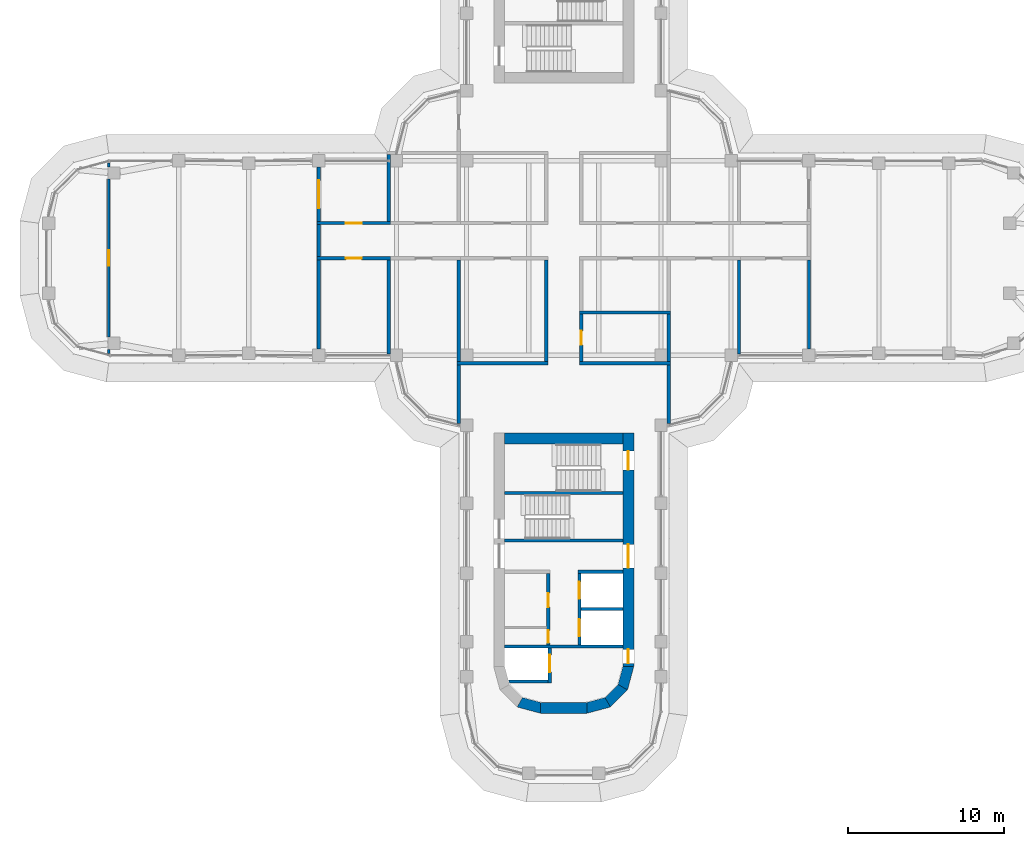
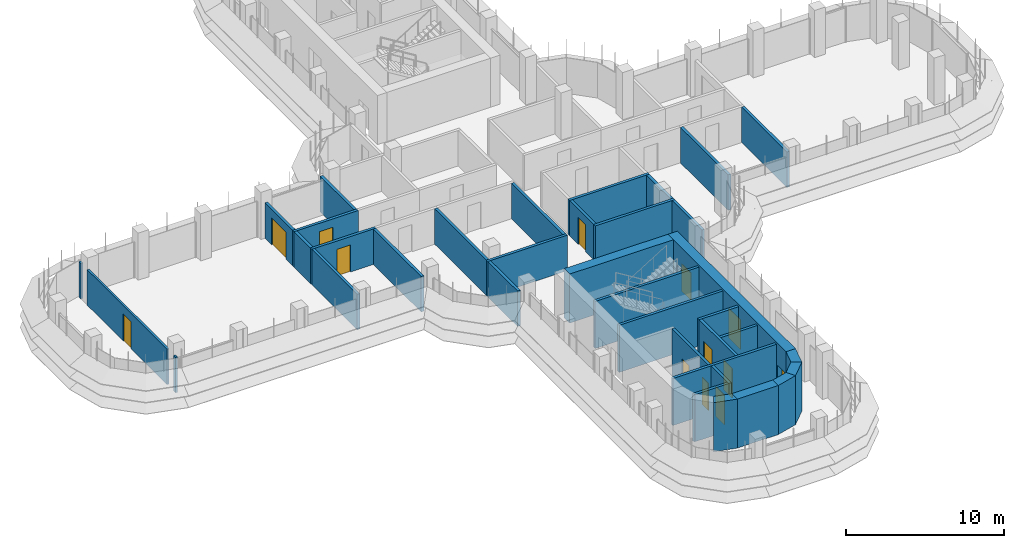
# One storey, part 14 of 20: 37 walls, 13 doors, 13 openings.
"""IFC4 building model written with IfcOpenShell, lengths in metres."""

from ifc_helpers import new_model, si_unit, direction, frame, frame_2d, origin, place, context, subcontext, project, spatial, polyline, rectangle, outline, extrude, material, layer, layer_set, type_object, element, fill, save


model = new_model("IFC4")

# Units and contexts
model_context = context("Model", 3, precision=1e-05, world=origin(), true_north=direction((0.0, 1.0)))
body_context = subcontext(model_context, "Body", "Model", "MODEL_VIEW")
ifc_project = project(units=[si_unit("LENGTHUNIT", "METRE"), si_unit("AREAUNIT", "SQUARE_METRE"), si_unit("VOLUMEUNIT", "CUBIC_METRE"), si_unit("PLANEANGLEUNIT", "RADIAN"), si_unit("MASSUNIT", "GRAM", prefix="KILO")], contexts=[model_context])

# Site, building, storey
site_placement = place(None, origin())
site = spatial("IfcSite", under=ifc_project, at=site_placement, CompositionType="ELEMENT")
building_placement = place(site_placement, origin())
building = spatial("IfcBuilding", under=site, at=building_placement, Name="Zarbagh Exchange Tower", CompositionType="ELEMENT")
storey_placement = place(building_placement, frame((0.0, 0.0, 144.800048828125)))
storey = spatial("IfcBuildingStorey", under=building, at=storey_placement, Name="L34", CompositionType="ELEMENT", Elevation=144.800048828125)

# Wall
ifc_material_1 = material(Name="Plasterboard partition")
ifc_layer_1 = layer(ifc_material_1, 0.14990234375)
ifc_layer_set_1 = layer_set([ifc_layer_1], Name="PARTITION 150")
wall_type_1 = type_object("IfcWallType", Name="PARTITION 150", PredefinedType="PARTITIONING", material=ifc_layer_set_1)
wall_1_placement = place(storey_placement, frame((-29.25, -6.1298828125, 0.0), z_axis=(0.0, 0.0, 1.0), x_axis=(0.0, 1.0, 0.0)))
element("IfcWall", 1, at=wall_1_placement, inside=storey, type_object=wall_type_1, Name="Partition W-1543", PredefinedType="PARTITIONING", context=body_context, shape_type="SweptSolid", body=[
    extrude(rectangle(XDim=0.2548828125, YDim=0.14990234375, at=frame_2d((0.12744140625, 0.0))), origin(), (0.0, 0.0, 1.0), 2.75),
])

# Wall, opening, door
wall_2_placement = place(storey_placement, frame((-29.25, -5.074951171875, 0.0), z_axis=(0.0, 0.0, 1.0), x_axis=(0.0, 1.0, 0.0)))
wall_2 = element("IfcWall", 2, at=wall_2_placement, inside=storey, type_object=wall_type_1, Name="Partition W-1544", PredefinedType="PARTITIONING", context=body_context, shape_type="SweptSolid", body=[
    extrude(rectangle(XDim=10.14990234375, YDim=0.14990234375, at=frame_2d((5.074951171875, 0.0))), origin(), (0.0, 0.0, 1.0), 2.75),
])
opening_1_placement = place(wall_2_placement, frame((4.574951171875, 0.0, 0.0)))
opening_1 = element("IfcOpeningElement", 3, at=opening_1_placement, cuts=wall_2, Name="Opening D-1514", PredefinedType="OPENING", context=body_context, shape_type="SweptSolid", body=[
    extrude(rectangle(XDim=1.0, YDim=2.10009765625, at=frame_2d((0.5, 1.050048828125))), frame((0.0, 0.0849609375, 0.0), z_axis=(0.0, -1.0, 0.0), x_axis=(1.0, 0.0, 0.0)), (0.0, 0.0, 1.0), 0.169921875),
])
ifc_material_2 = material(Name="Timber door leaf", Category="wood")
door_type_1 = type_object("IfcDoorType", Name="DOOR 1000 X 2100", OperationType="NOTDEFINED", PredefinedType="DOOR", material=ifc_material_2)
door_1_placement = place(opening_1_placement, origin())
door_1 = element("IfcDoor", 4, at=door_1_placement, inside=storey, type_object=door_type_1, Name="Door D-1514", OperationType="SINGLE_SWING_RIGHT", OverallHeight=2.10009765625, OverallWidth=1.0, PredefinedType="DOOR", context=body_context, shape_type="SweptSolid", body=[
    extrude(rectangle(XDim=1.0, YDim=2.10009765625, at=frame_2d((0.5, 1.050048828125))), frame((0.0, 0.02490234375, 0.0), z_axis=(0.0, -1.0, 0.0), x_axis=(1.0, 0.0, 0.0)), (0.0, 0.0, 1.0), 0.050048828125),
])
fill(opening_1, door_1)

# Wall
wall_3_placement = place(storey_placement, frame((-29.25, 5.875, 0.0), z_axis=(0.0, 0.0, 1.0), x_axis=(0.0, 1.0, 0.0)))
element("IfcWall", 5, at=wall_3_placement, inside=storey, type_object=wall_type_1, Name="Partition W-1545", PredefinedType="PARTITIONING", context=body_context, shape_type="SweptSolid", body=[
    extrude(rectangle(XDim=0.2548828125, YDim=0.14990234375, at=frame_2d((0.12744140625, 0.0))), origin(), (0.0, 0.0, 1.0), 2.75),
])

# Wall, opening, door
ifc_material_3 = material(Name="Fire-rated plasterboard partition")
ifc_layer_2 = layer(ifc_material_3, 0.199951171875)
ifc_layer_set_2 = layer_set([ifc_layer_2], Name="RATED PARTITION 200")
wall_type_2 = type_object("IfcWallType", Name="RATED PARTITION 200", PredefinedType="PARTITIONING", material=ifc_layer_set_2)
wall_4_placement = place(storey_placement, frame((-15.85009765625, 2.25, 0.0), z_axis=(0.0, 0.0, 1.0), x_axis=(1.0, 0.0, 0.0)))
wall_4 = element("IfcWall", 6, at=wall_4_placement, inside=storey, type_object=wall_type_2, Name="Partition W-1512", PredefinedType="PARTITIONING", context=body_context, shape_type="SweptSolid", body=[
    extrude(rectangle(XDim=4.7001953125, YDim=0.199951171875, at=frame_2d((2.35009765625, 0.0))), origin(), (0.0, 0.0, 1.0), 2.75),
])
opening_2_placement = place(wall_4_placement, frame((1.85009765625, 0.0, 0.0)))
opening_2 = element("IfcOpeningElement", 7, at=opening_2_placement, cuts=wall_4, Name="Opening D-1516", PredefinedType="OPENING", context=body_context, shape_type="SweptSolid", body=[
    extrude(rectangle(XDim=1.0, YDim=2.10009765625, at=frame_2d((0.5, 1.050048828125))), frame((0.0, 0.10986328125, 0.0), z_axis=(0.0, -1.0, 0.0), x_axis=(1.0, 0.0, 0.0)), (0.0, 0.0, 1.0), 0.219970703125),
])
ifc_material_4 = material(Name="Steel door set", Category="steel")
door_type_2 = type_object("IfcDoorType", Name="FIRE DOOR 1000 X 2100 FD30S", OperationType="NOTDEFINED", PredefinedType="DOOR", material=ifc_material_4)
door_2_placement = place(opening_2_placement, origin())
door_2 = element("IfcDoor", 8, at=door_2_placement, inside=storey, type_object=door_type_2, Name="Door D-1516", OperationType="SINGLE_SWING_RIGHT", OverallHeight=2.10009765625, OverallWidth=1.0, PredefinedType="DOOR", context=body_context, shape_type="SweptSolid", body=[
    extrude(rectangle(XDim=1.0, YDim=2.10009765625, at=frame_2d((0.5, 1.050048828125))), frame((0.0, 0.02490234375, 0.0), z_axis=(0.0, -1.0, 0.0), x_axis=(1.0, 0.0, 0.0)), (0.0, 0.0, 1.0), 0.050048828125),
])
fill(opening_2, door_2)

wall_5_placement = place(storey_placement, frame((-11.14990234375, 0.0, 0.0), z_axis=(0.0, 0.0, 1.0), x_axis=(-1.0, 0.0, 0.0)))
wall_5 = element("IfcWall", 9, at=wall_5_placement, inside=storey, type_object=wall_type_2, Name="Partition W-1513", PredefinedType="PARTITIONING", context=body_context, shape_type="SweptSolid", body=[
    extrude(rectangle(XDim=4.7001953125, YDim=0.199951171875, at=frame_2d((2.35009765625, 0.0))), origin(), (0.0, 0.0, 1.0), 2.75),
])
opening_3_placement = place(wall_5_placement, frame((1.85009765625, 0.0, 0.0)))
opening_3 = element("IfcOpeningElement", 10, at=opening_3_placement, cuts=wall_5, Name="Opening D-1517", PredefinedType="OPENING", context=body_context, shape_type="SweptSolid", body=[
    extrude(rectangle(XDim=1.0, YDim=2.10009765625, at=frame_2d((0.5, 1.050048828125))), frame((0.0, 0.10986328125, 0.0), z_axis=(0.0, -1.0, 0.0), x_axis=(1.0, 0.0, 0.0)), (0.0, 0.0, 1.0), 0.219970703125),
])
door_3_placement = place(opening_3_placement, origin())
door_3 = element("IfcDoor", 11, at=door_3_placement, inside=storey, type_object=door_type_2, Name="Door D-1517", OperationType="SINGLE_SWING_RIGHT", OverallHeight=2.10009765625, OverallWidth=1.0, PredefinedType="DOOR", context=body_context, shape_type="SweptSolid", body=[
    extrude(rectangle(XDim=1.0, YDim=2.10009765625, at=frame_2d((0.5, 1.050048828125))), frame((0.0, 0.02490234375, 0.0), z_axis=(0.0, -1.0, 0.0), x_axis=(1.0, 0.0, 0.0)), (0.0, 0.0, 1.0), 0.050048828125),
])
fill(opening_3, door_3)

# Wall
wall_6_placement = place(storey_placement, frame((-15.75, 0.10009765625, 0.0), z_axis=(0.0, 0.0, 1.0), x_axis=(0.0, 1.0, 0.0)))
element("IfcWall", 12, at=wall_6_placement, inside=storey, type_object=wall_type_2, Name="Partition W-1514", PredefinedType="PARTITIONING", context=body_context, shape_type="SweptSolid", body=[
    extrude(rectangle(XDim=2.0498046875, YDim=0.199951171875, at=frame_2d((1.02490234375, 0.0))), origin(), (0.0, 0.0, 1.0), 2.75),
])

# Wall, opening, door
wall_7_placement = place(storey_placement, frame((1.125, -3.60009765625, 0.0), z_axis=(0.0, 0.0, 1.0), x_axis=(0.0, -1.0, 0.0)))
wall_7 = element("IfcWall", 13, at=wall_7_placement, inside=storey, type_object=wall_type_2, Name="Partition W-1518", PredefinedType="PARTITIONING", context=body_context, shape_type="SweptSolid", body=[
    extrude(rectangle(XDim=3.0498046875, YDim=0.199951171875, at=frame_2d((1.52490234375, 0.0))), origin(), (0.0, 0.0, 1.0), 2.75),
])
opening_4_placement = place(wall_7_placement, frame((1.074951171875, 0.0, 0.0)))
opening_4 = element("IfcOpeningElement", 14, at=opening_4_placement, cuts=wall_7, Name="Opening D-1510", PredefinedType="OPENING", context=body_context, shape_type="SweptSolid", body=[
    extrude(rectangle(XDim=0.89990234375, YDim=2.10009765625, at=frame_2d((0.449951171875, 1.050048828125))), frame((0.0, 0.10986328125, 0.0), z_axis=(0.0, -1.0, 0.0), x_axis=(1.0, 0.0, 0.0)), (0.0, 0.0, 1.0), 0.219970703125),
])
door_type_3 = type_object("IfcDoorType", Name="DOOR 900 X 2100", OperationType="NOTDEFINED", PredefinedType="DOOR", material=ifc_material_2)
door_4_placement = place(opening_4_placement, origin())
door_4 = element("IfcDoor", 15, at=door_4_placement, inside=storey, type_object=door_type_3, Name="Door D-1510", OperationType="SINGLE_SWING_LEFT", OverallHeight=2.10009765625, OverallWidth=0.89990234375, PredefinedType="DOOR", context=body_context, shape_type="SweptSolid", body=[
    extrude(rectangle(XDim=0.89990234375, YDim=2.10009765625, at=frame_2d((0.449951171875, 1.050048828125))), frame((0.0, 0.02490234375, 0.0), z_axis=(0.0, -1.0, 0.0), x_axis=(1.0, 0.0, 0.0)), (0.0, 0.0, 1.0), 0.050048828125),
])
fill(opening_4, door_4)

# Walls
wall_8_placement = place(storey_placement, frame((-1.125, -6.64990234375, 0.0), z_axis=(0.0, 0.0, 1.0), x_axis=(0.0, 1.0, 0.0)))
element("IfcWall", 16, at=wall_8_placement, inside=storey, type_object=wall_type_2, Name="Partition W-1519", PredefinedType="PARTITIONING", context=body_context, shape_type="SweptSolid", body=[
    extrude(rectangle(XDim=6.5498046875, YDim=0.199951171875, at=frame_2d((3.27490234375, 0.0))), origin(), (0.0, 0.0, 1.0), 2.75),
])
wall_9_placement = place(storey_placement, frame((1.02490234375, -6.75, 0.0), z_axis=(0.0, 0.0, 1.0), x_axis=(1.0, 0.0, 0.0)))
element("IfcWall", 17, at=wall_9_placement, inside=storey, type_object=wall_type_2, Name="Partition W-1524", PredefinedType="PARTITIONING", context=body_context, shape_type="SweptSolid", body=[
    extrude(rectangle(XDim=5.8251953125, YDim=0.199951171875, at=frame_2d((2.91259765625, 0.0))), origin(), (0.0, 0.0, 1.0), 2.75),
])
wall_10_placement = place(storey_placement, frame((6.75, -10.6298828125, 0.0), z_axis=(0.0, 0.0, 1.0), x_axis=(0.0, 1.0, 0.0)))
element("IfcWall", 18, at=wall_10_placement, inside=storey, type_object=wall_type_2, Name="Partition W-1525", PredefinedType="PARTITIONING", context=body_context, shape_type="SweptSolid", body=[
    extrude(rectangle(XDim=3.77978515625, YDim=0.199951171875, at=frame_2d((1.889892578125, 0.0))), origin(), (0.0, 0.0, 1.0), 2.75),
])
wall_11_placement = place(storey_placement, frame((-6.85009765625, -6.75, 0.0), z_axis=(0.0, 0.0, 1.0), x_axis=(1.0, 0.0, 0.0)))
element("IfcWall", 19, at=wall_11_placement, inside=storey, type_object=wall_type_2, Name="Partition W-1526", PredefinedType="PARTITIONING", context=body_context, shape_type="SweptSolid", body=[
    extrude(rectangle(XDim=5.8251953125, YDim=0.199951171875, at=frame_2d((2.91259765625, 0.0))), origin(), (0.0, 0.0, 1.0), 2.75),
])
wall_12_placement = place(storey_placement, frame((-6.75, -10.6298828125, 0.0), z_axis=(0.0, 0.0, 1.0), x_axis=(0.0, 1.0, 0.0)))
element("IfcWall", 20, at=wall_12_placement, inside=storey, type_object=wall_type_2, Name="Partition W-1527", PredefinedType="PARTITIONING", context=body_context, shape_type="SweptSolid", body=[
    extrude(rectangle(XDim=3.77978515625, YDim=0.199951171875, at=frame_2d((1.889892578125, 0.0))), origin(), (0.0, 0.0, 1.0), 2.75),
])
wall_13_placement = place(storey_placement, frame((-11.25, 2.35009765625, 0.0), z_axis=(0.0, 0.0, 1.0), x_axis=(0.0, 1.0, 0.0)))
element("IfcWall", 21, at=wall_13_placement, inside=storey, type_object=wall_type_2, Name="Partition W-1532", PredefinedType="PARTITIONING", context=body_context, shape_type="SweptSolid", body=[
    extrude(rectangle(XDim=4.2998046875, YDim=0.199951171875, at=frame_2d((2.14990234375, 0.0))), origin(), (0.0, 0.0, 1.0), 2.75),
])
wall_14_placement = place(storey_placement, frame((1.02490234375, -3.5, 0.0), z_axis=(0.0, 0.0, 1.0), x_axis=(1.0, 0.0, 0.0)))
element("IfcWall", 22, at=wall_14_placement, inside=storey, type_object=wall_type_2, Name="Partition W-1533", PredefinedType="PARTITIONING", context=body_context, shape_type="SweptSolid", body=[
    extrude(rectangle(XDim=5.8251953125, YDim=0.199951171875, at=frame_2d((2.91259765625, 0.0))), origin(), (0.0, 0.0, 1.0), 2.75),
])
wall_15_placement = place(storey_placement, frame((6.75, -6.64990234375, 0.0), z_axis=(0.0, 0.0, 1.0), x_axis=(0.0, 1.0, 0.0)))
element("IfcWall", 23, at=wall_15_placement, inside=storey, type_object=wall_type_2, Name="Partition W-1535", PredefinedType="PARTITIONING", context=body_context, shape_type="SweptSolid", body=[
    extrude(rectangle(XDim=3.0498046875, YDim=0.199951171875, at=frame_2d((1.52490234375, 0.0))), origin(), (0.0, 0.0, 1.0), 2.75),
])
wall_16_placement = place(storey_placement, frame((11.25, -6.169921875, 0.0), z_axis=(0.0, 0.0, 1.0), x_axis=(0.0, 1.0, 0.0)))
element("IfcWall", 24, at=wall_16_placement, inside=storey, type_object=wall_type_2, Name="Partition W-1536", PredefinedType="PARTITIONING", context=body_context, shape_type="SweptSolid", body=[
    extrude(rectangle(XDim=6.06982421875, YDim=0.199951171875, at=frame_2d((3.034912109375, 0.0))), origin(), (0.0, 0.0, 1.0), 2.75),
])
wall_17_placement = place(storey_placement, frame((-6.75, -6.64990234375, 0.0), z_axis=(0.0, 0.0, 1.0), x_axis=(0.0, 1.0, 0.0)))
element("IfcWall", 25, at=wall_17_placement, inside=storey, type_object=wall_type_2, Name="Partition W-1537", PredefinedType="PARTITIONING", context=body_context, shape_type="SweptSolid", body=[
    extrude(rectangle(XDim=6.5498046875, YDim=0.199951171875, at=frame_2d((3.27490234375, 0.0))), origin(), (0.0, 0.0, 1.0), 2.75),
])
wall_18_placement = place(storey_placement, frame((-11.25, -6.169921875, 0.0), z_axis=(0.0, 0.0, 1.0), x_axis=(0.0, 1.0, 0.0)))
element("IfcWall", 26, at=wall_18_placement, inside=storey, type_object=wall_type_2, Name="Partition W-1538", PredefinedType="PARTITIONING", context=body_context, shape_type="SweptSolid", body=[
    extrude(rectangle(XDim=6.06982421875, YDim=0.199951171875, at=frame_2d((3.034912109375, 0.0))), origin(), (0.0, 0.0, 1.0), 2.75),
])
wall_19_placement = place(storey_placement, frame((15.75, -5.85009765625, 0.0), z_axis=(0.0, 0.0, 1.0), x_axis=(0.0, 1.0, 0.0)))
element("IfcWall", 27, at=wall_19_placement, inside=storey, type_object=wall_type_2, Name="Partition W-1540", PredefinedType="PARTITIONING", context=body_context, shape_type="SweptSolid", body=[
    extrude(rectangle(XDim=5.75, YDim=0.199951171875, at=frame_2d((2.875, 0.0))), origin(), (0.0, 0.0, 1.0), 2.75),
])

# Wall, opening, door
wall_20_placement = place(storey_placement, frame((-15.75, 2.35009765625, 0.0), z_axis=(0.0, 0.0, 1.0), x_axis=(0.0, 1.0, 0.0)))
wall_20 = element("IfcWall", 28, at=wall_20_placement, inside=storey, type_object=wall_type_2, Name="Partition W-1541", PredefinedType="PARTITIONING", context=body_context, shape_type="SweptSolid", body=[
    extrude(rectangle(XDim=3.5, YDim=0.199951171875, at=frame_2d((1.75, 0.0))), origin(), (0.0, 0.0, 1.0), 2.75),
])
opening_5_placement = place(wall_20_placement, frame((0.85009765625, 0.0, 0.0)))
opening_5 = element("IfcOpeningElement", 29, at=opening_5_placement, cuts=wall_20, Name="Opening D-1515", PredefinedType="OPENING", context=body_context, shape_type="SweptSolid", body=[
    extrude(rectangle(XDim=1.800048828125, YDim=2.10009765625, at=frame_2d((0.89990234375, 1.050048828125))), frame((0.0, 0.10986328125, 0.0), z_axis=(0.0, -1.0, 0.0), x_axis=(1.0, 0.0, 0.0)), (0.0, 0.0, 1.0), 0.219970703125),
])
door_type_4 = type_object("IfcDoorType", Name="FIRE DOUBLE DOOR 1800 X 2100 FD30S", OperationType="DOUBLE_DOOR_SINGLE_SWING", PredefinedType="DOOR", material=ifc_material_4)
door_5_placement = place(opening_5_placement, origin())
door_5 = element("IfcDoor", 30, at=door_5_placement, inside=storey, type_object=door_type_4, Name="Door D-1515", OperationType="DOUBLE_DOOR_SINGLE_SWING", OverallHeight=2.10009765625, OverallWidth=1.800048828125, PredefinedType="DOOR", context=body_context, shape_type="SweptSolid", body=[
    extrude(rectangle(XDim=1.800048828125, YDim=2.10009765625, at=frame_2d((0.89990234375, 1.050048828125))), frame((0.0, 0.02490234375, 0.0), z_axis=(0.0, -1.0, 0.0), x_axis=(1.0, 0.0, 0.0)), (0.0, 0.0, 1.0), 0.050048828125),
])
fill(opening_5, door_5)

# Walls
wall_21_placement = place(storey_placement, frame((-15.75, -5.85009765625, 0.0), z_axis=(0.0, 0.0, 1.0), x_axis=(0.0, 1.0, 0.0)))
element("IfcWall", 31, at=wall_21_placement, inside=storey, type_object=wall_type_2, Name="Partition W-1542", PredefinedType="PARTITIONING", context=body_context, shape_type="SweptSolid", body=[
    extrude(rectangle(XDim=5.75, YDim=0.199951171875, at=frame_2d((2.875, 0.0))), origin(), (0.0, 0.0, 1.0), 2.75),
])
ifc_material_5 = material(Name="Concrete C50/60", Category="concrete")
ifc_layer_3 = layer(ifc_material_5, 0.699951171875)
ifc_layer_set_3 = layer_set([ifc_layer_3], Name="RC core corner wall 700 C50/60")
wall_type_3 = type_object("IfcWallType", Name="RC core corner wall 700 C50/60", PredefinedType="SHEAR", material=ifc_layer_set_3)
wall_22_placement = place(storey_placement, origin())
element("IfcWall", 32, at=wall_22_placement, inside=storey, type_object=wall_type_3, Name="CW6 core S corner W", PredefinedType="SHEAR", context=body_context, shape_type="SweptSolid", body=[
    extrude(outline(polyline([(-3.0, -28.84814453125), (-1.5, -29.25), (-1.5, -28.550048828125), (-2.64990234375, -28.241943359375), (-3.0, -28.84814453125)])), origin(), (0.0, 0.0, 1.0), 3.800048828125),
])
wall_23_placement = place(storey_placement, origin())
element("IfcWall", 33, at=wall_23_placement, inside=storey, type_object=wall_type_3, Name="CW6 core S corner E", PredefinedType="SHEAR", context=body_context, shape_type="SweptSolid", body=[
    extrude(outline(polyline([(4.5, -26.25), (4.09814453125, -27.75), (3.491943359375, -27.39990234375), (3.800048828125, -26.25), (4.5, -26.25)])), origin(), (0.0, 0.0, 1.0), 3.800048828125),
])
wall_24_placement = place(storey_placement, origin())
element("IfcWall", 34, at=wall_24_placement, inside=storey, type_object=wall_type_3, Name="CW6 core S corner E", PredefinedType="SHEAR", context=body_context, shape_type="SweptSolid", body=[
    extrude(outline(polyline([(4.09814453125, -27.75), (3.0, -28.84814453125), (2.64990234375, -28.241943359375), (3.491943359375, -27.39990234375), (4.09814453125, -27.75)])), origin(), (0.0, 0.0, 1.0), 3.800048828125),
])
wall_25_placement = place(storey_placement, origin())
element("IfcWall", 35, at=wall_25_placement, inside=storey, type_object=wall_type_3, Name="CW6 core S corner E", PredefinedType="SHEAR", context=body_context, shape_type="SweptSolid", body=[
    extrude(outline(polyline([(3.0, -28.84814453125), (1.5, -29.25), (1.5, -28.550048828125), (2.64990234375, -28.241943359375), (3.0, -28.84814453125)])), origin(), (0.0, 0.0, 1.0), 3.800048828125),
])

# Wall, openings, doors
ifc_layer_4 = layer(ifc_material_5, 0.699951171875)
ifc_layer_set_4 = layer_set([ifc_layer_4], Name="RC core wall 700 C50/60")
wall_type_4 = type_object("IfcWallType", Name="RC core wall 700 C50/60", PredefinedType="SHEAR", material=ifc_layer_set_4)
wall_26_placement = place(storey_placement, frame((4.14990234375, -11.25, 0.0), z_axis=(0.0, 0.0, 1.0), x_axis=(0.0, -1.0, 0.0)))
wall_26 = element("IfcWall", 36, at=wall_26_placement, inside=storey, type_object=wall_type_4, Name="CW5 core S E", PredefinedType="SHEAR", context=body_context, shape_type="SweptSolid", body=[
    extrude(rectangle(XDim=15.0, YDim=0.699951171875, at=frame_2d((7.5, 0.0))), origin(), (0.0, 0.0, 1.0), 3.800048828125),
])
opening_6_placement = place(wall_26_placement, frame((7.14990234375, 0.0, 0.0)))
opening_6 = element("IfcOpeningElement", 37, at=opening_6_placement, cuts=wall_26, Name="Opening CD1-1500", PredefinedType="OPENING", context=body_context, shape_type="SweptSolid", body=[
    extrude(rectangle(XDim=1.5, YDim=2.300048828125, at=frame_2d((0.75, 1.14990234375))), frame((0.0, 0.35986328125, 0.0), z_axis=(0.0, -1.0, 0.0), x_axis=(1.0, 0.0, 0.0)), (0.0, 0.0, 1.0), 0.719970703125),
])
opening_7_placement = place(wall_26_placement, frame((13.89990234375, 0.0, 0.0)))
opening_7 = element("IfcOpeningElement", 38, at=opening_7_placement, cuts=wall_26, Name="Opening CD2-900", PredefinedType="OPENING", context=body_context, shape_type="SweptSolid", body=[
    extrude(rectangle(XDim=0.89990234375, YDim=2.10009765625, at=frame_2d((0.449951171875, 1.050048828125))), frame((0.0, 0.35986328125, 0.0), z_axis=(0.0, -1.0, 0.0), x_axis=(1.0, 0.0, 0.0)), (0.0, 0.0, 1.0), 0.719970703125),
])
opening_8_placement = place(wall_26_placement, frame((1.14990234375, 0.0, 0.0)))
opening_8 = element("IfcOpeningElement", 39, at=opening_8_placement, cuts=wall_26, Name="Opening SD1-1200", PredefinedType="OPENING", context=body_context, shape_type="SweptSolid", body=[
    extrude(rectangle(XDim=1.199951171875, YDim=2.10009765625, at=frame_2d((0.60009765625, 1.050048828125))), frame((0.0, 0.35986328125, 0.0), z_axis=(0.0, -1.0, 0.0), x_axis=(1.0, 0.0, 0.0)), (0.0, 0.0, 1.0), 0.719970703125),
])
ifc_material_6 = material(Name="Steel", Category="steel")
door_type_5 = type_object("IfcDoorType", Name="Exit stair door 1200 x 2100", OperationType="NOTDEFINED", PredefinedType="DOOR", material=ifc_material_6)
door_6_placement = place(opening_8_placement, origin())
door_6 = element("IfcDoor", 40, at=door_6_placement, inside=storey, type_object=door_type_5, Name="South core stair door ST2", OperationType="SINGLE_SWING_RIGHT", OverallHeight=2.10009765625, OverallWidth=1.199951171875, PredefinedType="DOOR", context=body_context, shape_type="SweptSolid", body=[
    extrude(rectangle(XDim=1.199951171875, YDim=2.10009765625, at=frame_2d((0.60009765625, 1.050048828125))), frame((0.0, 0.02490234375, 0.0), z_axis=(0.0, -1.0, 0.0), x_axis=(1.0, 0.0, 0.0)), (0.0, 0.0, 1.0), 0.050048828125),
])
fill(opening_8, door_6)
door_type_6 = type_object("IfcDoorType", Name="Firefighting lobby door 900 x 2100", OperationType="NOTDEFINED", PredefinedType="DOOR", material=ifc_material_6)
door_7_placement = place(opening_7_placement, origin())
door_7 = element("IfcDoor", 41, at=door_7_placement, inside=storey, type_object=door_type_6, Name="South core firefighting lobby door FF-W", OperationType="SINGLE_SWING_LEFT", OverallHeight=2.10009765625, OverallWidth=0.89990234375, PredefinedType="DOOR", context=body_context, shape_type="SweptSolid", body=[
    extrude(rectangle(XDim=0.89990234375, YDim=2.10009765625, at=frame_2d((0.449951171875, 1.050048828125))), frame((0.0, 0.02490234375, 0.0), z_axis=(0.0, -1.0, 0.0), x_axis=(1.0, 0.0, 0.0)), (0.0, 0.0, 1.0), 0.050048828125),
])
fill(opening_7, door_7)
door_type_7 = type_object("IfcDoorType", Name="Lift lobby double door 1500 x 2300", OperationType="NOTDEFINED", PredefinedType="DOOR", material=ifc_material_6)
door_8_placement = place(opening_6_placement, origin())
door_8 = element("IfcDoor", 42, at=door_8_placement, inside=storey, type_object=door_type_7, Name="South core lift lobby door LOBBY-W", OperationType="DOUBLE_DOOR_SINGLE_SWING", OverallHeight=2.300048828125, OverallWidth=1.5, PredefinedType="DOOR", context=body_context, shape_type="SweptSolid", body=[
    extrude(rectangle(XDim=1.5, YDim=2.300048828125, at=frame_2d((0.75, 1.14990234375))), frame((0.0, 0.02490234375, 0.0), z_axis=(0.0, -1.0, 0.0), x_axis=(1.0, 0.0, 0.0)), (0.0, 0.0, 1.0), 0.050048828125),
])
fill(opening_6, door_8)

# Walls
wall_27_placement = place(storey_placement, frame((-3.800048828125, -11.60009765625, 0.0), z_axis=(0.0, 0.0, 1.0), x_axis=(1.0, 0.0, 0.0)))
element("IfcWall", 43, at=wall_27_placement, inside=storey, type_object=wall_type_4, Name="CW5 core S inner end", PredefinedType="SHEAR", context=body_context, shape_type="SweptSolid", body=[
    extrude(rectangle(XDim=7.60009765625, YDim=0.699951171875, at=frame_2d((3.800048828125, 0.0))), origin(), (0.0, 0.0, 1.0), 3.800048828125),
])
wall_28_placement = place(storey_placement, frame((-1.5, -28.89990234375, 0.0), z_axis=(0.0, 0.0, 1.0), x_axis=(1.0, 0.0, 0.0)))
element("IfcWall", 44, at=wall_28_placement, inside=storey, type_object=wall_type_4, Name="CW5 core S outer end", PredefinedType="SHEAR", context=body_context, shape_type="SweptSolid", body=[
    extrude(rectangle(XDim=3.0, YDim=0.699951171875, at=frame_2d((1.5, 0.0))), origin(), (0.0, 0.0, 1.0), 3.800048828125),
])
ifc_material_7 = material(Name="Dense blockwork", Category="masonry")
ifc_layer_5 = layer(ifc_material_7, 0.199951171875)
ifc_layer_set_5 = layer_set([ifc_layer_5], Name="Shaft wall 200 mm blockwork")
wall_type_5 = type_object("IfcWallType", Name="Shaft wall 200 mm blockwork", PredefinedType="PARTITIONING", material=ifc_layer_set_5)
wall_29_placement = place(storey_placement, frame((3.800048828125, -20.14990234375, 0.0), z_axis=(0.0, 0.0, 1.0), x_axis=(-1.0, 0.0, 0.0)))
element("IfcWall", 45, at=wall_29_placement, inside=storey, type_object=wall_type_5, Name="South core shaft wall AB-W", PredefinedType="PARTITIONING", context=body_context, shape_type="SweptSolid", body=[
    extrude(rectangle(XDim=2.900146484375, YDim=0.199951171875, at=frame_2d((1.4501953125, 0.0))), origin(), (0.0, 0.0, 1.0), 3.64990234375),
])

# Wall, openings, doors
wall_30_placement = place(storey_placement, frame((1.0, -24.85009765625, 0.0), z_axis=(0.0, 0.0, 1.0), x_axis=(0.0, 1.0, 0.0)))
wall_30 = element("IfcWall", 46, at=wall_30_placement, inside=storey, type_object=wall_type_5, Name="South core shaft wall LW-W", PredefinedType="PARTITIONING", context=body_context, shape_type="SweptSolid", body=[
    extrude(rectangle(XDim=4.60009765625, YDim=0.199951171875, at=frame_2d((2.300048828125, 0.0))), origin(), (0.0, 0.0, 1.0), 3.64990234375),
])
opening_9_placement = place(wall_30_placement, frame((0.550048828125, 0.0, 0.0)))
opening_9 = element("IfcOpeningElement", 47, at=opening_9_placement, cuts=wall_30, Name="Opening LD-1100", PredefinedType="OPENING", context=body_context, shape_type="SweptSolid", body=[
    extrude(rectangle(XDim=1.10009765625, YDim=2.300048828125, at=frame_2d((0.550048828125, 1.14990234375))), frame((0.0, 0.10986328125, 0.0), z_axis=(0.0, -1.0, 0.0), x_axis=(1.0, 0.0, 0.0)), (0.0, 0.0, 1.0), 0.219970703125),
])
opening_10_placement = place(wall_30_placement, frame((2.949951171875, 0.0, 0.0)))
opening_10 = element("IfcOpeningElement", 48, at=opening_10_placement, cuts=wall_30, Name="Opening LD-1100", PredefinedType="OPENING", context=body_context, shape_type="SweptSolid", body=[
    extrude(rectangle(XDim=1.10009765625, YDim=2.300048828125, at=frame_2d((0.550048828125, 1.14990234375))), frame((0.0, 0.10986328125, 0.0), z_axis=(0.0, -1.0, 0.0), x_axis=(1.0, 0.0, 0.0)), (0.0, 0.0, 1.0), 0.219970703125),
])
ifc_material_8 = material(Name="Stainless steel", Category="steel")
door_type_8 = type_object("IfcDoorType", Name="Lift landing door 1100 x 2300", OperationType="NOTDEFINED", PredefinedType="DOOR", material=ifc_material_8)
door_9_placement = place(opening_9_placement, origin())
door_9 = element("IfcDoor", 49, at=door_9_placement, inside=storey, type_object=door_type_8, Name="South core lift landing door LD-P-S1", OperationType="DOUBLE_DOOR_SLIDING", OverallHeight=2.300048828125, OverallWidth=1.10009765625, PredefinedType="DOOR", context=body_context, shape_type="SweptSolid", body=[
    extrude(rectangle(XDim=1.10009765625, YDim=2.300048828125, at=frame_2d((0.550048828125, 1.14990234375))), frame((0.0, 0.02490234375, 0.0), z_axis=(0.0, -1.0, 0.0), x_axis=(1.0, 0.0, 0.0)), (0.0, 0.0, 1.0), 0.050048828125),
])
fill(opening_9, door_9)
door_10_placement = place(opening_10_placement, origin())
door_10 = element("IfcDoor", 50, at=door_10_placement, inside=storey, type_object=door_type_8, Name="South core lift landing door LD-P-S2", OperationType="DOUBLE_DOOR_SLIDING", OverallHeight=2.300048828125, OverallWidth=1.10009765625, PredefinedType="DOOR", context=body_context, shape_type="SweptSolid", body=[
    extrude(rectangle(XDim=1.10009765625, YDim=2.300048828125, at=frame_2d((0.550048828125, 1.14990234375))), frame((0.0, 0.02490234375, 0.0), z_axis=(0.0, -1.0, 0.0), x_axis=(1.0, 0.0, 0.0)), (0.0, 0.0, 1.0), 0.050048828125),
])
fill(opening_10, door_10)

wall_31_placement = place(storey_placement, frame((-1.0, -24.85009765625, 0.0), z_axis=(0.0, 0.0, 1.0), x_axis=(0.0, 1.0, 0.0)))
wall_31 = element("IfcWall", 51, at=wall_31_placement, inside=storey, type_object=wall_type_5, Name="South core shaft wall LW-E", PredefinedType="PARTITIONING", context=body_context, shape_type="SweptSolid", body=[
    extrude(rectangle(XDim=4.60009765625, YDim=0.199951171875, at=frame_2d((2.300048828125, 0.0))), origin(), (0.0, 0.0, 1.0), 3.64990234375),
])
opening_11_placement = place(wall_31_placement, frame((0.125, 0.0, 0.0)))
opening_11 = element("IfcOpeningElement", 52, at=opening_11_placement, cuts=wall_31, Name="Opening CD3-800", PredefinedType="OPENING", context=body_context, shape_type="SweptSolid", body=[
    extrude(rectangle(XDim=0.800048828125, YDim=2.10009765625, at=frame_2d((0.39990234375, 1.050048828125))), frame((0.0, 0.10986328125, 0.0), z_axis=(0.0, -1.0, 0.0), x_axis=(1.0, 0.0, 0.0)), (0.0, 0.0, 1.0), 0.219970703125),
])
opening_12_placement = place(wall_31_placement, frame((2.425048828125, 0.0, 0.0)))
opening_12 = element("IfcOpeningElement", 53, at=opening_12_placement, cuts=wall_31, Name="Opening CD3-900", PredefinedType="OPENING", context=body_context, shape_type="SweptSolid", body=[
    extrude(rectangle(XDim=0.89990234375, YDim=2.10009765625, at=frame_2d((0.449951171875, 1.050048828125))), frame((0.0, 0.10986328125, 0.0), z_axis=(0.0, -1.0, 0.0), x_axis=(1.0, 0.0, 0.0)), (0.0, 0.0, 1.0), 0.219970703125),
])
door_type_9 = type_object("IfcDoorType", Name="Core room door 800 x 2100", OperationType="NOTDEFINED", PredefinedType="DOOR", material=ifc_material_6)
door_11_placement = place(opening_11_placement, origin())
door_11 = element("IfcDoor", 54, at=door_11_placement, inside=storey, type_object=door_type_9, Name="South core Store door RD-E-0", OperationType="SINGLE_SWING_LEFT", OverallHeight=2.10009765625, OverallWidth=0.800048828125, PredefinedType="DOOR", context=body_context, shape_type="SweptSolid", body=[
    extrude(rectangle(XDim=0.800048828125, YDim=2.10009765625, at=frame_2d((0.39990234375, 1.050048828125))), frame((0.0, 0.02490234375, 0.0), z_axis=(0.0, -1.0, 0.0), x_axis=(1.0, 0.0, 0.0)), (0.0, 0.0, 1.0), 0.050048828125),
])
fill(opening_11, door_11)
door_type_10 = type_object("IfcDoorType", Name="Core room door 900 x 2100", OperationType="NOTDEFINED", PredefinedType="DOOR", material=ifc_material_6)
door_12_placement = place(opening_12_placement, origin())
door_12 = element("IfcDoor", 55, at=door_12_placement, inside=storey, type_object=door_type_10, Name="South core Accessible WC door RD-E-1", OperationType="SINGLE_SWING_RIGHT", OverallHeight=2.10009765625, OverallWidth=0.89990234375, PredefinedType="DOOR", context=body_context, shape_type="SweptSolid", body=[
    extrude(rectangle(XDim=0.89990234375, YDim=2.10009765625, at=frame_2d((0.449951171875, 1.050048828125))), frame((0.0, 0.02490234375, 0.0), z_axis=(0.0, -1.0, 0.0), x_axis=(1.0, 0.0, 0.0)), (0.0, 0.0, 1.0), 0.050048828125),
])
fill(opening_12, door_12)

# Walls
wall_32_placement = place(storey_placement, frame((3.800048828125, -22.550048828125, 0.0), z_axis=(0.0, 0.0, 1.0), x_axis=(-1.0, 0.0, 0.0)))
element("IfcWall", 56, at=wall_32_placement, inside=storey, type_object=wall_type_5, Name="South core shaft wall TR-W", PredefinedType="PARTITIONING", context=body_context, shape_type="SweptSolid", body=[
    extrude(rectangle(XDim=2.699951171875, YDim=0.199951171875, at=frame_2d((1.35009765625, 0.0))), origin(), (0.0, 0.0, 1.0), 3.64990234375),
])
ifc_material_9 = material(Name="Concrete C40/50", Category="concrete")
ifc_layer_6 = layer(ifc_material_9, 0.199951171875)
ifc_layer_set_6 = layer_set([ifc_layer_6], Name="Stair enclosure wall 200 mm RC C40/50")
wall_type_6 = type_object("IfcWallType", Name="Stair enclosure wall 200 mm RC C40/50", PredefinedType="SHEAR", material=ifc_layer_set_6)
wall_33_placement = place(storey_placement, frame((3.800048828125, -24.949951171875, 0.0), z_axis=(0.0, 0.0, 1.0), x_axis=(-1.0, 0.0, 0.0)))
element("IfcWall", 57, at=wall_33_placement, inside=storey, type_object=wall_type_6, Name="South core lift shaft wall FFA", PredefinedType="SHEAR", context=body_context, shape_type="SweptSolid", body=[
    extrude(rectangle(XDim=7.60009765625, YDim=0.199951171875, at=frame_2d((3.800048828125, 0.0))), origin(), (0.0, 0.0, 1.0), 3.64990234375),
])

# Wall, opening, door
wall_34_placement = place(storey_placement, frame((-0.89990234375, -27.300048828125, 0.0), z_axis=(0.0, 0.0, 1.0), x_axis=(0.0, 1.0, 0.0)))
wall_34 = element("IfcWall", 58, at=wall_34_placement, inside=storey, type_object=wall_type_6, Name="South core lift shaft wall FFL", PredefinedType="SHEAR", context=body_context, shape_type="SweptSolid", body=[
    extrude(rectangle(XDim=2.25, YDim=0.199951171875, at=frame_2d((1.125, 0.0))), origin(), (0.0, 0.0, 1.0), 3.64990234375),
])
opening_13_placement = place(wall_34_placement, frame((0.699951171875, 0.0, 0.0)))
opening_13 = element("IfcOpeningElement", 59, at=opening_13_placement, cuts=wall_34, Name="Opening LD-1100", PredefinedType="OPENING", context=body_context, shape_type="SweptSolid", body=[
    extrude(rectangle(XDim=1.10009765625, YDim=2.300048828125, at=frame_2d((0.550048828125, 1.14990234375))), frame((0.0, 0.10986328125, 0.0), z_axis=(0.0, -1.0, 0.0), x_axis=(1.0, 0.0, 0.0)), (0.0, 0.0, 1.0), 0.219970703125),
])
door_13_placement = place(opening_13_placement, origin())
door_13 = element("IfcDoor", 60, at=door_13_placement, inside=storey, type_object=door_type_8, Name="South core lift landing door LD-F", OperationType="DOUBLE_DOOR_SLIDING", OverallHeight=2.300048828125, OverallWidth=1.10009765625, PredefinedType="DOOR", context=body_context, shape_type="SweptSolid", body=[
    extrude(rectangle(XDim=1.10009765625, YDim=2.300048828125, at=frame_2d((0.550048828125, 1.14990234375))), frame((0.0, 0.02490234375, 0.0), z_axis=(0.0, -1.0, 0.0), x_axis=(1.0, 0.0, 0.0)), (0.0, 0.0, 1.0), 0.050048828125),
])
fill(opening_13, door_13)

# Walls
wall_35_placement = place(storey_placement, origin())
element("IfcWall", 61, at=wall_35_placement, inside=storey, type_object=wall_type_6, Name="South core lift shaft wall FFX", PredefinedType="SHEAR", context=body_context, shape_type="SweptSolid", body=[
    extrude(outline(polyline([(-1.0, -27.10009765625), (-3.547607421875, -27.10009765625), (-3.493896484375, -27.300048828125), (-1.0, -27.300048828125), (-1.0, -27.10009765625)])), origin(), (0.0, 0.0, 1.0), 3.64990234375),
])
for number, where, z_axis, x_axis, name in (
    (62, (3.800048828125, -18.14990234375, 0.0), (0.0, 0.0, 1.0), (-1.0, 0.0, 0.0), "South core stair wall BS"),
    (63, (3.800048828125, -15.10009765625, 0.0), (0.0, 0.0, 1.0), (-1.0, 0.0, 0.0), "South core stair wall ST12"),
):
    element("IfcWall", number, at=place(storey_placement, frame(where, z_axis=z_axis, x_axis=x_axis)), inside=storey, type_object=wall_type_6, Name=name, PredefinedType="SHEAR", context=body_context, shape_type="SweptSolid", body=[
        extrude(rectangle(XDim=7.60009765625, YDim=0.199951171875, at=frame_2d((3.800048828125, 0.0))), origin(), (0.0, 0.0, 1.0), 3.64990234375),
    ])

save(model, "model.ifc")
